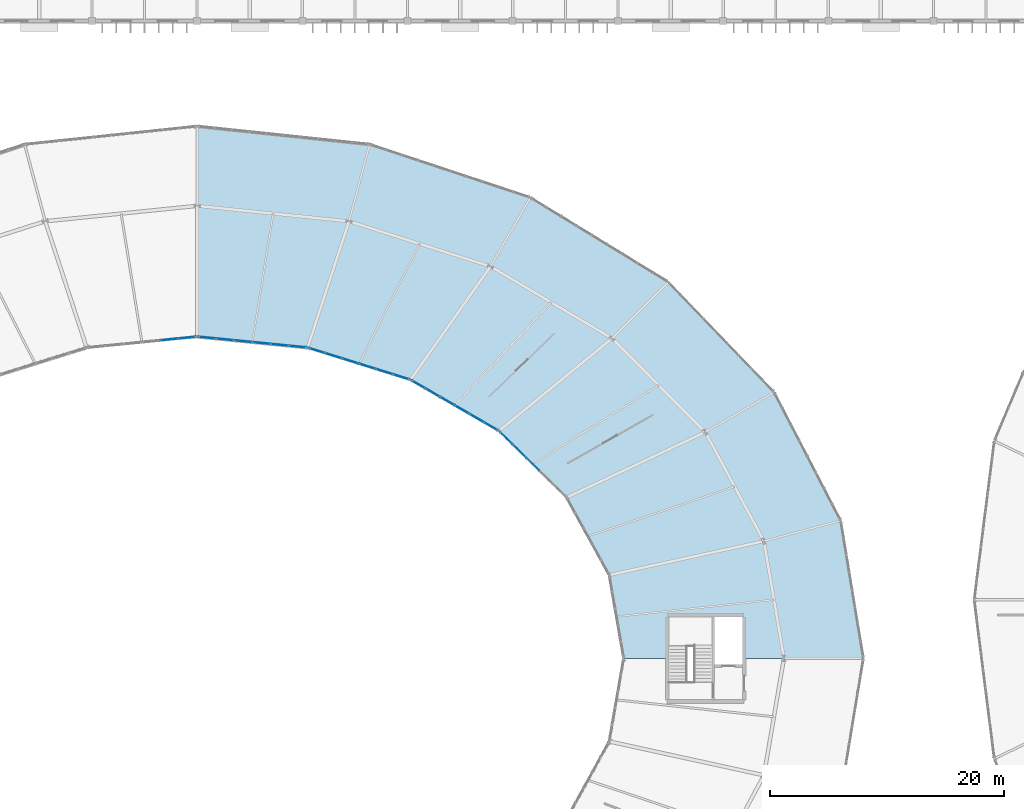
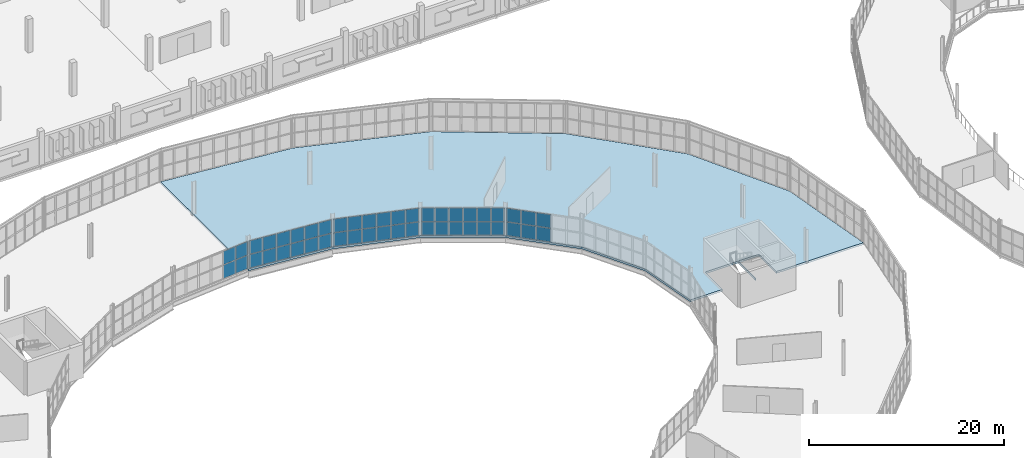
# One storey, part 118 of 161: 46 plates, 1 slab, 5 elements without a shape of their own.
"""IFC4 building model written with IfcOpenShell, lengths in metres."""

from ifc_helpers import new_model, si_unit, direction, frame, origin, origin_2d, place, context, subcontext, project, spatial, polyline, rectangle, outline, extrude, material, layer, layer_set, type_object, element, aggregate, save


model = new_model("IFC4")

# Units and contexts
model_context = context("Model", 3, precision=1e-05, world=origin(), true_north=direction((0.0, 1.0)))
body_context = subcontext(model_context, "Body", "Model", "MODEL_VIEW")
ifc_project = project(units=[si_unit("LENGTHUNIT", "METRE"), si_unit("AREAUNIT", "SQUARE_METRE"), si_unit("VOLUMEUNIT", "CUBIC_METRE"), si_unit("PLANEANGLEUNIT", "RADIAN"), si_unit("MASSUNIT", "GRAM", prefix="KILO")], contexts=[model_context])

# Site, building, storey
site_placement = place(None, origin())
site = spatial("IfcSite", under=ifc_project, at=site_placement, CompositionType="ELEMENT")
building_placement = place(site_placement, origin())
building = spatial("IfcBuilding", under=site, at=building_placement, Name="Kildeholm Park Wholesale Market", CompositionType="ELEMENT")
storey_placement = place(building_placement, frame((0.0, 0.0, 5.39990234375)))
storey = spatial("IfcBuildingStorey", under=building, at=storey_placement, Name="L01", CompositionType="ELEMENT", Elevation=5.39990234375)

# Curtain wall, plates
ifc_material_1 = material(Name="Anodised aluminium and low-E double-glazed glass", Category="aluminium")
curtain_wall_type = type_object("IfcCurtainWallType", Name="Market hall glazed arcade stick curtain wall CW-01", PredefinedType="NOTDEFINED", material=ifc_material_1)
curtain_wall_1_placement = place(storey_placement, origin())
curtain_wall_1 = element("IfcCurtainWall", 1, at=curtain_wall_1_placement, inside=storey, type_object=curtain_wall_type, Name="Curtain wall CW-V1-IN1-02 CW-0014", PredefinedType="NOTDEFINED")
ifc_material_2 = material(Name="Double-glazed low-E insulated glass", Category="glass")
ifc_layer_1 = layer(ifc_material_2, 0.028076171875)
ifc_layer_set_1 = layer_set([ifc_layer_1], Name="Double-glazed low-E insulated glass")
plate_type = type_object("IfcPlateType", Name="Curtain-wall panel CWP-1 28 mm", PredefinedType="CURTAIN_PANEL", material=ifc_layer_set_1)
plate_1_placement = place(storey_placement, frame((127.714599609375, 106.1005859375, 0.074951171875), z_axis=(0.0, 0.0, 1.0), x_axis=(-0.713537995789, 0.700616534607, 0.0)))
plate_1 = element("IfcPlate", 2, at=plate_1_placement, type_object=plate_type, Name="CW-01 panel 3.1 PLT-0338", PredefinedType="CURTAIN_PANEL", context=body_context, shape_type="SweptSolid", body=[
    extrude(rectangle(XDim=1.53466796875, YDim=0.028076171875, at=origin_2d()), origin(), (0.0, 0.0, 1.0), 1.66259765625),
])
plate_2_placement = place(storey_placement, frame((127.714599609375, 106.1005859375, 1.8125), z_axis=(0.0, 0.0, 1.0), x_axis=(-0.713537995789, 0.700616534607, 0.0)))
plate_2 = element("IfcPlate", 3, at=plate_2_placement, type_object=plate_type, Name="CW-01 panel 3.2 PLT-0339", PredefinedType="CURTAIN_PANEL", context=body_context, shape_type="SweptSolid", body=[
    extrude(rectangle(XDim=1.53466796875, YDim=0.028076171875, at=origin_2d()), origin(), (0.0, 0.0, 1.0), 1.66259765625),
])
plate_3_placement = place(storey_placement, frame((126.56591796875, 107.228271484375, 0.074951171875), z_axis=(0.0, 0.0, 1.0), x_axis=(-0.713537995789, 0.700616534607, 0.0)))
plate_3 = element("IfcPlate", 4, at=plate_3_placement, type_object=plate_type, Name="CW-01 panel 4.1 PLT-0340", PredefinedType="CURTAIN_PANEL", context=body_context, shape_type="SweptSolid", body=[
    extrude(rectangle(XDim=1.53466796875, YDim=0.028076171875, at=origin_2d()), origin(), (0.0, 0.0, 1.0), 1.66259765625),
])
plate_4_placement = place(storey_placement, frame((126.56591796875, 107.228271484375, 1.8125), z_axis=(0.0, 0.0, 1.0), x_axis=(-0.713537995789, 0.700616534607, 0.0)))
plate_4 = element("IfcPlate", 5, at=plate_4_placement, type_object=plate_type, Name="CW-01 panel 4.2 PLT-0341", PredefinedType="CURTAIN_PANEL", context=body_context, shape_type="SweptSolid", body=[
    extrude(rectangle(XDim=1.53466796875, YDim=0.028076171875, at=origin_2d()), origin(), (0.0, 0.0, 1.0), 1.66259765625),
])
plate_5_placement = place(storey_placement, frame((125.4306640625, 108.343017578125, 0.074951171875), z_axis=(0.0, 0.0, 1.0), x_axis=(-0.713537995789, 0.700616534607, 0.0)))
plate_5 = element("IfcPlate", 6, at=plate_5_placement, type_object=plate_type, Name="CW-01 panel 5.1 PLT-0342", PredefinedType="CURTAIN_PANEL", context=body_context, shape_type="SweptSolid", body=[
    extrude(rectangle(XDim=1.497314453125, YDim=0.028076171875, at=origin_2d()), origin(), (0.0, 0.0, 1.0), 1.66259765625),
])
plate_6_placement = place(storey_placement, frame((125.4306640625, 108.343017578125, 1.8125), z_axis=(0.0, 0.0, 1.0), x_axis=(-0.713537995789, 0.700616534607, 0.0)))
plate_6 = element("IfcPlate", 7, at=plate_6_placement, type_object=plate_type, Name="CW-01 panel 5.2 PLT-0343", PredefinedType="CURTAIN_PANEL", context=body_context, shape_type="SweptSolid", body=[
    extrude(rectangle(XDim=1.497314453125, YDim=0.028076171875, at=origin_2d()), origin(), (0.0, 0.0, 1.0), 1.66259765625),
])
aggregate(curtain_wall_1, [plate_1, plate_2, plate_3, plate_4, plate_5, plate_6])

curtain_wall_2_placement = place(storey_placement, origin())
curtain_wall_2 = element("IfcCurtainWall", 8, at=curtain_wall_2_placement, inside=storey, type_object=curtain_wall_type, Name="Curtain wall CW-V1-IN1-03 CW-0019", PredefinedType="NOTDEFINED")
plate_7_placement = place(storey_placement, frame((124.1376953125, 109.339111328125, 0.074951171875), z_axis=(0.0, 0.0, 1.0), x_axis=(-0.865742656621, 0.500489412982, 0.0)))
plate_7 = element("IfcPlate", 9, at=plate_7_placement, type_object=plate_type, Name="CW-01 panel 1.1 PLT-0400", PredefinedType="CURTAIN_PANEL", context=body_context, shape_type="SweptSolid", body=[
    extrude(rectangle(XDim=1.329345703125, YDim=0.028076171875, at=origin_2d()), origin(), (0.0, 0.0, 1.0), 1.66259765625),
])
plate_8_placement = place(storey_placement, frame((124.1376953125, 109.339111328125, 1.8125), z_axis=(0.0, 0.0, 1.0), x_axis=(-0.865742656621, 0.500489412982, 0.0)))
plate_8 = element("IfcPlate", 10, at=plate_8_placement, type_object=plate_type, Name="CW-01 panel 1.2 PLT-0401", PredefinedType="CURTAIN_PANEL", context=body_context, shape_type="SweptSolid", body=[
    extrude(rectangle(XDim=1.329345703125, YDim=0.028076171875, at=origin_2d()), origin(), (0.0, 0.0, 1.0), 1.66259765625),
])
plate_9_placement = place(storey_placement, frame((122.905517578125, 110.051513671875, 0.074951171875), z_axis=(0.0, 0.0, 1.0), x_axis=(-0.865742656621, 0.500489412982, 0.0)))
plate_9 = element("IfcPlate", 11, at=plate_9_placement, type_object=plate_type, Name="CW-01 panel 2.1 PLT-0402", PredefinedType="CURTAIN_PANEL", context=body_context, shape_type="SweptSolid", body=[
    extrude(rectangle(XDim=1.366943359375, YDim=0.028076171875, at=origin_2d()), origin(), (0.0, 0.0, 1.0), 1.66259765625),
])
plate_10_placement = place(storey_placement, frame((122.905517578125, 110.051513671875, 1.8125), z_axis=(0.0, 0.0, 1.0), x_axis=(-0.865742656621, 0.500489412982, 0.0)))
plate_10 = element("IfcPlate", 12, at=plate_10_placement, type_object=plate_type, Name="CW-01 panel 2.2 PLT-0403", PredefinedType="CURTAIN_PANEL", context=body_context, shape_type="SweptSolid", body=[
    extrude(rectangle(XDim=1.366943359375, YDim=0.028076171875, at=origin_2d()), origin(), (0.0, 0.0, 1.0), 1.66259765625),
])
plate_11_placement = place(storey_placement, frame((121.6572265625, 110.773193359375, 0.074951171875), z_axis=(0.0, 0.0, 1.0), x_axis=(-0.865742656621, 0.500489412982, 0.0)))
plate_11 = element("IfcPlate", 13, at=plate_11_placement, type_object=plate_type, Name="CW-01 panel 3.1 PLT-0404", PredefinedType="CURTAIN_PANEL", context=body_context, shape_type="SweptSolid", body=[
    extrude(rectangle(XDim=1.366943359375, YDim=0.028076171875, at=origin_2d()), origin(), (0.0, 0.0, 1.0), 1.66259765625),
])
plate_12_placement = place(storey_placement, frame((121.6572265625, 110.773193359375, 1.8125), z_axis=(0.0, 0.0, 1.0), x_axis=(-0.865742656621, 0.500489412982, 0.0)))
plate_12 = element("IfcPlate", 14, at=plate_12_placement, type_object=plate_type, Name="CW-01 panel 3.2 PLT-0405", PredefinedType="CURTAIN_PANEL", context=body_context, shape_type="SweptSolid", body=[
    extrude(rectangle(XDim=1.366943359375, YDim=0.028076171875, at=origin_2d()), origin(), (0.0, 0.0, 1.0), 1.66259765625),
])
plate_13_placement = place(storey_placement, frame((120.408935546875, 111.494873046875, 0.074951171875), z_axis=(0.0, 0.0, 1.0), x_axis=(-0.865742656621, 0.500489412982, 0.0)))
plate_13 = element("IfcPlate", 15, at=plate_13_placement, type_object=plate_type, Name="CW-01 panel 4.1 PLT-0406", PredefinedType="CURTAIN_PANEL", context=body_context, shape_type="SweptSolid", body=[
    extrude(rectangle(XDim=1.366943359375, YDim=0.028076171875, at=origin_2d()), origin(), (0.0, 0.0, 1.0), 1.66259765625),
])
plate_14_placement = place(storey_placement, frame((120.408935546875, 111.494873046875, 1.8125), z_axis=(0.0, 0.0, 1.0), x_axis=(-0.865742656621, 0.500489412982, 0.0)))
plate_14 = element("IfcPlate", 16, at=plate_14_placement, type_object=plate_type, Name="CW-01 panel 4.2 PLT-0407", PredefinedType="CURTAIN_PANEL", context=body_context, shape_type="SweptSolid", body=[
    extrude(rectangle(XDim=1.366943359375, YDim=0.028076171875, at=origin_2d()), origin(), (0.0, 0.0, 1.0), 1.66259765625),
])
plate_15_placement = place(storey_placement, frame((119.160400390625, 112.216552734375, 0.074951171875), z_axis=(0.0, 0.0, 1.0), x_axis=(-0.865742656621, 0.500489412982, 0.0)))
plate_15 = element("IfcPlate", 17, at=plate_15_placement, type_object=plate_type, Name="CW-01 panel 5.1 PLT-0408", PredefinedType="CURTAIN_PANEL", context=body_context, shape_type="SweptSolid", body=[
    extrude(rectangle(XDim=1.366943359375, YDim=0.028076171875, at=origin_2d()), origin(), (0.0, 0.0, 1.0), 1.66259765625),
])
plate_16_placement = place(storey_placement, frame((119.160400390625, 112.216552734375, 1.8125), z_axis=(0.0, 0.0, 1.0), x_axis=(-0.865742656621, 0.500489412982, 0.0)))
plate_16 = element("IfcPlate", 18, at=plate_16_placement, type_object=plate_type, Name="CW-01 panel 5.2 PLT-0409", PredefinedType="CURTAIN_PANEL", context=body_context, shape_type="SweptSolid", body=[
    extrude(rectangle(XDim=1.366943359375, YDim=0.028076171875, at=origin_2d()), origin(), (0.0, 0.0, 1.0), 1.66259765625),
])
plate_17_placement = place(storey_placement, frame((117.928466796875, 112.9287109375, 0.074951171875), z_axis=(0.0, 0.0, 1.0), x_axis=(-0.865742656621, 0.500489412982, 0.0)))
plate_17 = element("IfcPlate", 19, at=plate_17_placement, type_object=plate_type, Name="CW-01 panel 6.1 PLT-0410", PredefinedType="CURTAIN_PANEL", context=body_context, shape_type="SweptSolid", body=[
    extrude(rectangle(XDim=1.329345703125, YDim=0.028076171875, at=origin_2d()), origin(), (0.0, 0.0, 1.0), 1.66259765625),
])
plate_18_placement = place(storey_placement, frame((117.928466796875, 112.9287109375, 1.8125), z_axis=(0.0, 0.0, 1.0), x_axis=(-0.865742656621, 0.500489412982, 0.0)))
plate_18 = element("IfcPlate", 20, at=plate_18_placement, type_object=plate_type, Name="CW-01 panel 6.2 PLT-0411", PredefinedType="CURTAIN_PANEL", context=body_context, shape_type="SweptSolid", body=[
    extrude(rectangle(XDim=1.329345703125, YDim=0.028076171875, at=origin_2d()), origin(), (0.0, 0.0, 1.0), 1.66259765625),
])
aggregate(curtain_wall_2, [plate_7, plate_8, plate_9, plate_10, plate_11, plate_12, plate_13, plate_14, plate_15, plate_16, plate_17, plate_18])

curtain_wall_3_placement = place(storey_placement, origin())
curtain_wall_3 = element("IfcCurtainWall", 21, at=curtain_wall_3_placement, inside=storey, type_object=curtain_wall_type, Name="Curtain wall CW-V1-IN1-04 CW-0024", PredefinedType="NOTDEFINED")
plate_19_placement = place(storey_placement, frame((116.46875, 113.5634765625, 0.074951171875), z_axis=(0.0, 0.0, 1.0), x_axis=(-0.954579186683, 0.297957339818, 0.0)))
plate_19 = element("IfcPlate", 22, at=plate_19_placement, type_object=plate_type, Name="CW-01 panel 1.1 PLT-0472", PredefinedType="CURTAIN_PANEL", context=body_context, shape_type="SweptSolid", body=[
    extrude(rectangle(XDim=1.4111328125, YDim=0.028076171875, at=origin_2d()), origin(), (0.0, 0.0, 1.0), 1.66259765625),
])
plate_20_placement = place(storey_placement, frame((116.46875, 113.5634765625, 1.8125), z_axis=(0.0, 0.0, 1.0), x_axis=(-0.954579186683, 0.297957339818, 0.0)))
plate_20 = element("IfcPlate", 23, at=plate_20_placement, type_object=plate_type, Name="CW-01 panel 1.2 PLT-0473", PredefinedType="CURTAIN_PANEL", context=body_context, shape_type="SweptSolid", body=[
    extrude(rectangle(XDim=1.4111328125, YDim=0.028076171875, at=origin_2d()), origin(), (0.0, 0.0, 1.0), 1.66259765625),
])
plate_21_placement = place(storey_placement, frame((115.0322265625, 114.011962890625, 0.074951171875), z_axis=(0.0, 0.0, 1.0), x_axis=(-0.954579186683, 0.297957339818, 0.0)))
plate_21 = element("IfcPlate", 24, at=plate_21_placement, type_object=plate_type, Name="CW-01 panel 2.1 PLT-0474", PredefinedType="CURTAIN_PANEL", context=body_context, shape_type="SweptSolid", body=[
    extrude(rectangle(XDim=1.44873046875, YDim=0.028076171875, at=origin_2d()), origin(), (0.0, 0.0, 1.0), 1.66259765625),
])
plate_22_placement = place(storey_placement, frame((115.0322265625, 114.011962890625, 1.8125), z_axis=(0.0, 0.0, 1.0), x_axis=(-0.954579186683, 0.297957339818, 0.0)))
plate_22 = element("IfcPlate", 25, at=plate_22_placement, type_object=plate_type, Name="CW-01 panel 2.2 PLT-0475", PredefinedType="CURTAIN_PANEL", context=body_context, shape_type="SweptSolid", body=[
    extrude(rectangle(XDim=1.44873046875, YDim=0.028076171875, at=origin_2d()), origin(), (0.0, 0.0, 1.0), 1.66259765625),
])
plate_23_placement = place(storey_placement, frame((113.57763671875, 114.466064453125, 0.074951171875), z_axis=(0.0, 0.0, 1.0), x_axis=(-0.954579186683, 0.297957339818, 0.0)))
plate_23 = element("IfcPlate", 26, at=plate_23_placement, type_object=plate_type, Name="CW-01 panel 3.1 PLT-0476", PredefinedType="CURTAIN_PANEL", context=body_context, shape_type="SweptSolid", body=[
    extrude(rectangle(XDim=1.44873046875, YDim=0.028076171875, at=origin_2d()), origin(), (0.0, 0.0, 1.0), 1.66259765625),
])
plate_24_placement = place(storey_placement, frame((113.57763671875, 114.466064453125, 1.8125), z_axis=(0.0, 0.0, 1.0), x_axis=(-0.954579186683, 0.297957339818, 0.0)))
plate_24 = element("IfcPlate", 27, at=plate_24_placement, type_object=plate_type, Name="CW-01 panel 3.2 PLT-0477", PredefinedType="CURTAIN_PANEL", context=body_context, shape_type="SweptSolid", body=[
    extrude(rectangle(XDim=1.44873046875, YDim=0.028076171875, at=origin_2d()), origin(), (0.0, 0.0, 1.0), 1.66259765625),
])
plate_25_placement = place(storey_placement, frame((112.123291015625, 114.919921875, 0.074951171875), z_axis=(0.0, 0.0, 1.0), x_axis=(-0.954579186683, 0.297957339818, 0.0)))
plate_25 = element("IfcPlate", 28, at=plate_25_placement, type_object=plate_type, Name="CW-01 panel 4.1 PLT-0478", PredefinedType="CURTAIN_PANEL", context=body_context, shape_type="SweptSolid", body=[
    extrude(rectangle(XDim=1.44873046875, YDim=0.028076171875, at=origin_2d()), origin(), (0.0, 0.0, 1.0), 1.66259765625),
])
plate_26_placement = place(storey_placement, frame((112.123291015625, 114.919921875, 1.8125), z_axis=(0.0, 0.0, 1.0), x_axis=(-0.954579186683, 0.297957339818, 0.0)))
plate_26 = element("IfcPlate", 29, at=plate_26_placement, type_object=plate_type, Name="CW-01 panel 4.2 PLT-0479", PredefinedType="CURTAIN_PANEL", context=body_context, shape_type="SweptSolid", body=[
    extrude(rectangle(XDim=1.44873046875, YDim=0.028076171875, at=origin_2d()), origin(), (0.0, 0.0, 1.0), 1.66259765625),
])
plate_27_placement = place(storey_placement, frame((110.668701171875, 115.3740234375, 0.074951171875), z_axis=(0.0, 0.0, 1.0), x_axis=(-0.954579186683, 0.297957339818, 0.0)))
plate_27 = element("IfcPlate", 30, at=plate_27_placement, type_object=plate_type, Name="CW-01 panel 5.1 PLT-0480", PredefinedType="CURTAIN_PANEL", context=body_context, shape_type="SweptSolid", body=[
    extrude(rectangle(XDim=1.44873046875, YDim=0.028076171875, at=origin_2d()), origin(), (0.0, 0.0, 1.0), 1.66259765625),
])
plate_28_placement = place(storey_placement, frame((110.668701171875, 115.3740234375, 1.8125), z_axis=(0.0, 0.0, 1.0), x_axis=(-0.954579186683, 0.297957339818, 0.0)))
plate_28 = element("IfcPlate", 31, at=plate_28_placement, type_object=plate_type, Name="CW-01 panel 5.2 PLT-0481", PredefinedType="CURTAIN_PANEL", context=body_context, shape_type="SweptSolid", body=[
    extrude(rectangle(XDim=1.44873046875, YDim=0.028076171875, at=origin_2d()), origin(), (0.0, 0.0, 1.0), 1.66259765625),
])
plate_29_placement = place(storey_placement, frame((109.232177734375, 115.822509765625, 0.074951171875), z_axis=(0.0, 0.0, 1.0), x_axis=(-0.954579186683, 0.297957339818, 0.0)))
plate_29 = element("IfcPlate", 32, at=plate_29_placement, type_object=plate_type, Name="CW-01 panel 6.1 PLT-0482", PredefinedType="CURTAIN_PANEL", context=body_context, shape_type="SweptSolid", body=[
    extrude(rectangle(XDim=1.4111328125, YDim=0.028076171875, at=origin_2d()), origin(), (0.0, 0.0, 1.0), 1.66259765625),
])
plate_30_placement = place(storey_placement, frame((109.232177734375, 115.822509765625, 1.8125), z_axis=(0.0, 0.0, 1.0), x_axis=(-0.954579186683, 0.297957339818, 0.0)))
plate_30 = element("IfcPlate", 33, at=plate_30_placement, type_object=plate_type, Name="CW-01 panel 6.2 PLT-0483", PredefinedType="CURTAIN_PANEL", context=body_context, shape_type="SweptSolid", body=[
    extrude(rectangle(XDim=1.4111328125, YDim=0.028076171875, at=origin_2d()), origin(), (0.0, 0.0, 1.0), 1.66259765625),
])
aggregate(curtain_wall_3, [plate_19, plate_20, plate_21, plate_22, plate_23, plate_24, plate_25, plate_26, plate_27, plate_28, plate_29, plate_30])

curtain_wall_4_placement = place(storey_placement, origin())
curtain_wall_4 = element("IfcCurtainWall", 34, at=curtain_wall_4_placement, inside=storey, type_object=curtain_wall_type, Name="Curtain wall CW-V1-IN1-05 CW-0028", PredefinedType="NOTDEFINED")
plate_31_placement = place(storey_placement, frame((107.608642578125, 116.150146484375, 0.074951171875), z_axis=(0.0, 0.0, 1.0), x_axis=(-0.995118887444, 0.098683331174, 0.0)))
plate_31 = element("IfcPlate", 35, at=plate_31_placement, type_object=plate_type, Name="CW-01 panel 1.1 PLT-0534", PredefinedType="CURTAIN_PANEL", context=body_context, shape_type="SweptSolid", body=[
    extrude(rectangle(XDim=1.45654296875, YDim=0.028076171875, at=origin_2d()), origin(), (0.0, 0.0, 1.0), 1.66259765625),
])
plate_32_placement = place(storey_placement, frame((107.608642578125, 116.150146484375, 1.8125), z_axis=(0.0, 0.0, 1.0), x_axis=(-0.995118887444, 0.098683331174, 0.0)))
plate_32 = element("IfcPlate", 36, at=plate_32_placement, type_object=plate_type, Name="CW-01 panel 1.2 PLT-0535", PredefinedType="CURTAIN_PANEL", context=body_context, shape_type="SweptSolid", body=[
    extrude(rectangle(XDim=1.45654296875, YDim=0.028076171875, at=origin_2d()), origin(), (0.0, 0.0, 1.0), 1.66259765625),
])
plate_33_placement = place(storey_placement, frame((106.06591796875, 116.30322265625, 0.074951171875), z_axis=(0.0, 0.0, 1.0), x_axis=(-0.995118887444, 0.098683331174, 0.0)))
plate_33 = element("IfcPlate", 37, at=plate_33_placement, type_object=plate_type, Name="CW-01 panel 2.1 PLT-0536", PredefinedType="CURTAIN_PANEL", context=body_context, shape_type="SweptSolid", body=[
    extrude(rectangle(XDim=1.493896484375, YDim=0.028076171875, at=origin_2d()), origin(), (0.0, 0.0, 1.0), 1.66259765625),
])
plate_34_placement = place(storey_placement, frame((106.06591796875, 116.30322265625, 1.8125), z_axis=(0.0, 0.0, 1.0), x_axis=(-0.995118887444, 0.098683331174, 0.0)))
plate_34 = element("IfcPlate", 38, at=plate_34_placement, type_object=plate_type, Name="CW-01 panel 2.2 PLT-0537", PredefinedType="CURTAIN_PANEL", context=body_context, shape_type="SweptSolid", body=[
    extrude(rectangle(XDim=1.493896484375, YDim=0.028076171875, at=origin_2d()), origin(), (0.0, 0.0, 1.0), 1.66259765625),
])
plate_35_placement = place(storey_placement, frame((104.504638671875, 116.4580078125, 0.074951171875), z_axis=(0.0, 0.0, 1.0), x_axis=(-0.995118887444, 0.098683331174, 0.0)))
plate_35 = element("IfcPlate", 39, at=plate_35_placement, type_object=plate_type, Name="CW-01 panel 3.1 PLT-0538", PredefinedType="CURTAIN_PANEL", context=body_context, shape_type="SweptSolid", body=[
    extrude(rectangle(XDim=1.493896484375, YDim=0.028076171875, at=origin_2d()), origin(), (0.0, 0.0, 1.0), 1.66259765625),
])
plate_36_placement = place(storey_placement, frame((104.504638671875, 116.4580078125, 1.8125), z_axis=(0.0, 0.0, 1.0), x_axis=(-0.995118887444, 0.098683331174, 0.0)))
plate_36 = element("IfcPlate", 40, at=plate_36_placement, type_object=plate_type, Name="CW-01 panel 3.2 PLT-0539", PredefinedType="CURTAIN_PANEL", context=body_context, shape_type="SweptSolid", body=[
    extrude(rectangle(XDim=1.493896484375, YDim=0.028076171875, at=origin_2d()), origin(), (0.0, 0.0, 1.0), 1.66259765625),
])
plate_37_placement = place(storey_placement, frame((102.943359375, 116.613037109375, 0.074951171875), z_axis=(0.0, 0.0, 1.0), x_axis=(-0.995118887444, 0.098683331174, 0.0)))
plate_37 = element("IfcPlate", 41, at=plate_37_placement, type_object=plate_type, Name="CW-01 panel 4.1 PLT-0540", PredefinedType="CURTAIN_PANEL", context=body_context, shape_type="SweptSolid", body=[
    extrude(rectangle(XDim=1.493896484375, YDim=0.028076171875, at=origin_2d()), origin(), (0.0, 0.0, 1.0), 1.66259765625),
])
plate_38_placement = place(storey_placement, frame((102.943359375, 116.613037109375, 1.8125), z_axis=(0.0, 0.0, 1.0), x_axis=(-0.995118887444, 0.098683331174, 0.0)))
plate_38 = element("IfcPlate", 42, at=plate_38_placement, type_object=plate_type, Name="CW-01 panel 4.2 PLT-0541", PredefinedType="CURTAIN_PANEL", context=body_context, shape_type="SweptSolid", body=[
    extrude(rectangle(XDim=1.493896484375, YDim=0.028076171875, at=origin_2d()), origin(), (0.0, 0.0, 1.0), 1.66259765625),
])
plate_39_placement = place(storey_placement, frame((101.382080078125, 116.767822265625, 0.074951171875), z_axis=(0.0, 0.0, 1.0), x_axis=(-0.995118887444, 0.098683331174, 0.0)))
plate_39 = element("IfcPlate", 43, at=plate_39_placement, type_object=plate_type, Name="CW-01 panel 5.1 PLT-0542", PredefinedType="CURTAIN_PANEL", context=body_context, shape_type="SweptSolid", body=[
    extrude(rectangle(XDim=1.493896484375, YDim=0.028076171875, at=origin_2d()), origin(), (0.0, 0.0, 1.0), 1.66259765625),
])
plate_40_placement = place(storey_placement, frame((101.382080078125, 116.767822265625, 1.8125), z_axis=(0.0, 0.0, 1.0), x_axis=(-0.995118887444, 0.098683331174, 0.0)))
plate_40 = element("IfcPlate", 44, at=plate_40_placement, type_object=plate_type, Name="CW-01 panel 5.2 PLT-0543", PredefinedType="CURTAIN_PANEL", context=body_context, shape_type="SweptSolid", body=[
    extrude(rectangle(XDim=1.493896484375, YDim=0.028076171875, at=origin_2d()), origin(), (0.0, 0.0, 1.0), 1.66259765625),
])
plate_41_placement = place(storey_placement, frame((99.83935546875, 116.920654296875, 0.074951171875), z_axis=(0.0, 0.0, 1.0), x_axis=(-0.995118887444, 0.098683331174, 0.0)))
plate_41 = element("IfcPlate", 45, at=plate_41_placement, type_object=plate_type, Name="CW-01 panel 6.1 PLT-0544", PredefinedType="CURTAIN_PANEL", context=body_context, shape_type="SweptSolid", body=[
    extrude(rectangle(XDim=1.45654296875, YDim=0.028076171875, at=origin_2d()), origin(), (0.0, 0.0, 1.0), 1.66259765625),
])
plate_42_placement = place(storey_placement, frame((99.83935546875, 116.920654296875, 1.8125), z_axis=(0.0, 0.0, 1.0), x_axis=(-0.995118887444, 0.098683331174, 0.0)))
plate_42 = element("IfcPlate", 46, at=plate_42_placement, type_object=plate_type, Name="CW-01 panel 6.2 PLT-0545", PredefinedType="CURTAIN_PANEL", context=body_context, shape_type="SweptSolid", body=[
    extrude(rectangle(XDim=1.45654296875, YDim=0.028076171875, at=origin_2d()), origin(), (0.0, 0.0, 1.0), 1.66259765625),
])
aggregate(curtain_wall_4, [plate_31, plate_32, plate_33, plate_34, plate_35, plate_36, plate_37, plate_38, plate_39, plate_40, plate_41, plate_42])

curtain_wall_5_placement = place(storey_placement, origin())
curtain_wall_5 = element("IfcCurtainWall", 47, at=curtain_wall_5_placement, inside=storey, type_object=curtain_wall_type, Name="Curtain wall CW-V1-IN1-06 CW-0033", PredefinedType="NOTDEFINED")
plate_43_placement = place(storey_placement, frame((98.16064453125, 116.920654296875, 0.074951171875), z_axis=(0.0, 0.0, 1.0), x_axis=(-0.995118887444, -0.098683331174, 0.0)))
plate_43 = element("IfcPlate", 48, at=plate_43_placement, type_object=plate_type, Name="CW-01 panel 1.1 PLT-0608", PredefinedType="CURTAIN_PANEL", context=body_context, shape_type="SweptSolid", body=[
    extrude(rectangle(XDim=1.45654296875, YDim=0.028076171875, at=origin_2d()), origin(), (0.0, 0.0, 1.0), 1.66259765625),
])
plate_44_placement = place(storey_placement, frame((98.16064453125, 116.920654296875, 1.8125), z_axis=(0.0, 0.0, 1.0), x_axis=(-0.995118887444, -0.098683331174, 0.0)))
plate_44 = element("IfcPlate", 49, at=plate_44_placement, type_object=plate_type, Name="CW-01 panel 1.2 PLT-0609", PredefinedType="CURTAIN_PANEL", context=body_context, shape_type="SweptSolid", body=[
    extrude(rectangle(XDim=1.45654296875, YDim=0.028076171875, at=origin_2d()), origin(), (0.0, 0.0, 1.0), 1.66259765625),
])
plate_45_placement = place(storey_placement, frame((96.617919921875, 116.767822265625, 0.074951171875), z_axis=(0.0, 0.0, 1.0), x_axis=(-0.995118887444, -0.098683331174, 0.0)))
plate_45 = element("IfcPlate", 50, at=plate_45_placement, type_object=plate_type, Name="CW-01 panel 2.1 PLT-0610", PredefinedType="CURTAIN_PANEL", context=body_context, shape_type="SweptSolid", body=[
    extrude(rectangle(XDim=1.493896484375, YDim=0.028076171875, at=origin_2d()), origin(), (0.0, 0.0, 1.0), 1.66259765625),
])
plate_46_placement = place(storey_placement, frame((96.617919921875, 116.767822265625, 1.8125), z_axis=(0.0, 0.0, 1.0), x_axis=(-0.995118887444, -0.098683331174, 0.0)))
plate_46 = element("IfcPlate", 51, at=plate_46_placement, type_object=plate_type, Name="CW-01 panel 2.2 PLT-0611", PredefinedType="CURTAIN_PANEL", context=body_context, shape_type="SweptSolid", body=[
    extrude(rectangle(XDim=1.493896484375, YDim=0.028076171875, at=origin_2d()), origin(), (0.0, 0.0, 1.0), 1.66259765625),
])
aggregate(curtain_wall_5, [plate_43, plate_44, plate_45, plate_46])

# Slab
ifc_material_3 = material(Name="Concrete C35/45", Category="concrete")
ifc_layer_2 = layer(ifc_material_3, 0.25)
ifc_layer_set_2 = layer_set([ifc_layer_2], Name="Concrete C35/45")
slab_type = type_object("IfcSlabType", Name="Slab S-FL1 250 mm", PredefinedType="FLOOR", material=ifc_layer_set_2)
slab_placement = place(storey_placement, frame((0.0, 0.0, -0.25)))
element("IfcSlab", 52, at=slab_placement, inside=storey, type_object=slab_type, Name="Produce hall L01 gallery slab quadrant 1 SLB-0002", PredefinedType="FLOOR", context=body_context, shape_type="SweptSolid", body=[
    extrude(outline(polyline([(135.5, 89.5), (134.256103515625, 96.617919921875), (130.610107421875, 103.25), (124.80908203125, 108.945068359375), (117.25, 113.31591796875), (108.447021484375, 116.06298828125), (99.0, 117.0), (99.0, 135.0), (113.7529296875, 133.449951171875), (127.5, 128.904052734375), (139.304931640625, 121.673095703125), (148.363037109375, 112.25), (154.05810546875, 101.27587890625), (156.0, 89.5), (145.679931640625, 89.5), (145.679931640625, 93.080078125), (143.280029296875, 93.080078125), (143.280029296875, 89.5), (143.179931640625, 89.5), (143.179931640625, 93.080078125), (139.320068359375, 93.080078125), (139.320068359375, 89.5), (135.5, 89.5)])), origin(), (0.0, 0.0, 1.0), 0.25),
])

save(model, "model.ifc")
